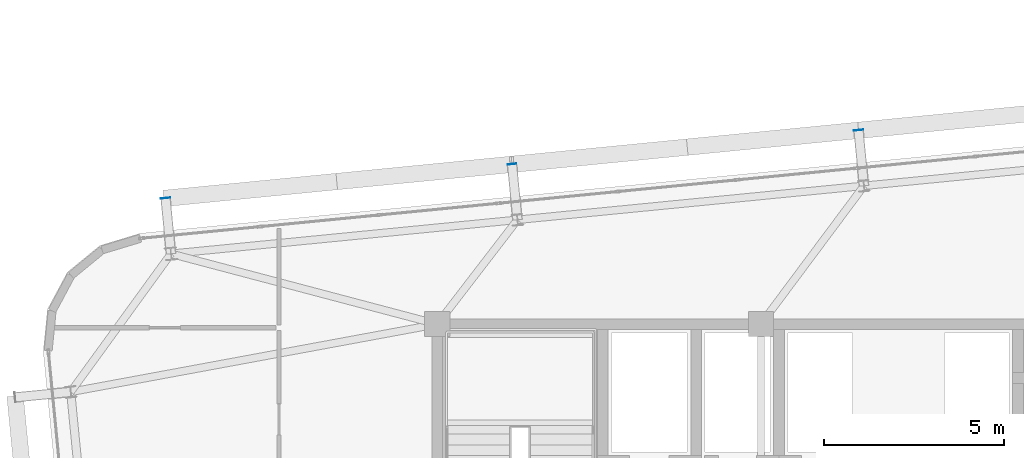
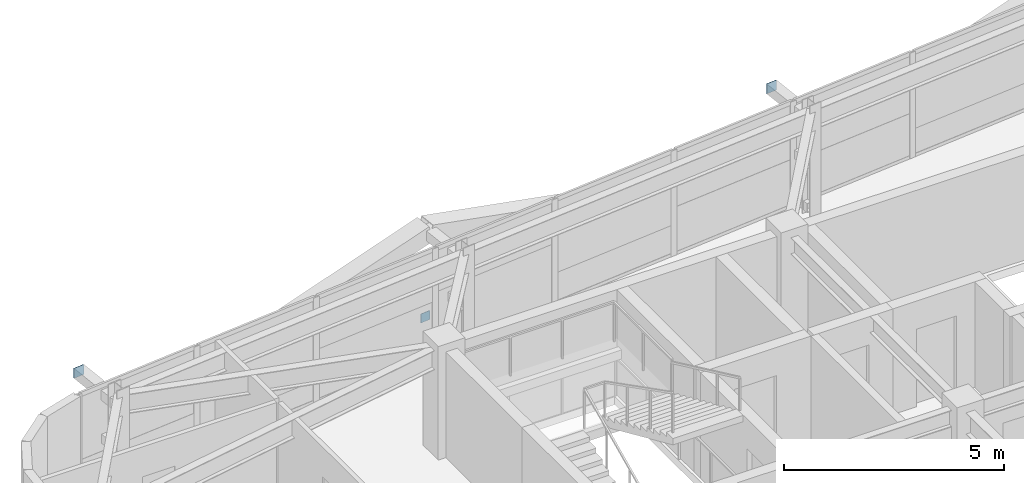
# One storey, part 43 of 53: 3 plates.
"""IFC4 building model written with IfcOpenShell, lengths in metres."""

from ifc_helpers import new_model, si_unit, direction, frame, origin, origin_2d, place, context, subcontext, project, spatial, rectangle, extrude, source, transform, mapped, material, layer, layer_set, type_object, element, save


model = new_model("IFC4")

# Units and contexts
model_context = context("Model", 3, precision=1e-05, world=origin(), true_north=direction((0.0, 1.0)))
body_context = subcontext(model_context, "Body", "Model", "MODEL_VIEW")
ifc_project = project(units=[si_unit("LENGTHUNIT", "METRE"), si_unit("AREAUNIT", "SQUARE_METRE"), si_unit("VOLUMEUNIT", "CUBIC_METRE"), si_unit("PLANEANGLEUNIT", "RADIAN"), si_unit("MASSUNIT", "GRAM", prefix="KILO")], contexts=[model_context])

# Site, building, storey
site_placement = place(None, origin())
site = spatial("IfcSite", under=ifc_project, at=site_placement, CompositionType="ELEMENT")
building_placement = place(site_placement, origin())
building = spatial("IfcBuilding", under=site, at=building_placement, Name="Taldren Reach Tower", CompositionType="ELEMENT")
storey_placement = place(building_placement, frame((0.0, 0.0, 68.25)))
storey = spatial("IfcBuildingStorey", under=building, at=storey_placement, Name="L20", CompositionType="ELEMENT", Elevation=68.25)

# Plates
ifc_material_1 = material(Name="Steel Gr 450 (C450L0)", Category="steel")
ifc_layer_1 = layer(ifc_material_1, 0.011962890625)
ifc_layer_set_1 = layer_set([ifc_layer_1], Name="Steel Gr 450 (C450L0)")
plate_type_1 = type_object("IfcPlateType", Name="PL-CAP-275", PredefinedType="SHEET", material=ifc_layer_set_1)
shared_shape_1 = source(origin(), body_context, "Body", "SweptSolid", [
    extrude(rectangle(XDim=0.27490234375, YDim=0.011962890625, at=origin_2d()), origin(), (0.0, 0.0, 1.0), 0.27490234375),
])
for number, where, z_axis, x_axis, name in (
    (1, (11.445068359375, 35.50537109375, 2.512451171875), (0.0, 0.0, 1.0), (0.995227399982, 0.097582899759, 0.0), "Tie strut end cap plate B2-N1 L20"),
    (2, (30.712646484375, 37.394775390625, 2.512451171875), (0.0, 0.0, 1.0), (0.995227399982, 0.097582899759, 0.0), "Tie strut end cap plate B2-N3 L20"),
):
    element("IfcPlate", number, at=place(storey_placement, frame(where, z_axis=z_axis, x_axis=x_axis)), inside=storey, type_object=plate_type_1, Name=name, PredefinedType="SHEET", context=body_context, shape_type="MappedRepresentation", body=[
        mapped(shared_shape_1, transform((0.0, 0.0, 0.0), scale=1.0)),
    ])
ifc_material_2 = material(Name="Steel Gr 350 (C350L0)", Category="steel")
ifc_layer_2 = layer(ifc_material_2, 0.011962890625)
ifc_layer_set_2 = layer_set([ifc_layer_2], Name="Steel Gr 350 (C350L0)")
plate_type_2 = type_object("IfcPlateType", Name="PL-CAP-250", PredefinedType="SHEET", material=ifc_layer_set_2)
shared_shape_2 = source(origin(), body_context, "Body", "SweptSolid", [
    extrude(rectangle(XDim=0.25, YDim=0.011962890625, at=origin_2d()), origin(), (0.0, 0.0, 1.0), 0.25),
])
plate_placement = place(storey_placement, frame((21.078857421875, 36.449951171875, 0.094970703125), z_axis=(0.0, 0.0, 1.0), x_axis=(0.995227399982, 0.097582899759, 0.0)))
element("IfcPlate", 3, at=plate_placement, inside=storey, type_object=plate_type_2, Name="Tie strut end cap plate B2-N2 L20", PredefinedType="SHEET", context=body_context, shape_type="MappedRepresentation", body=[
    mapped(shared_shape_2, transform((0.0, 0.0, 0.0), scale=1.0)),
])

save(model, "model.ifc")
